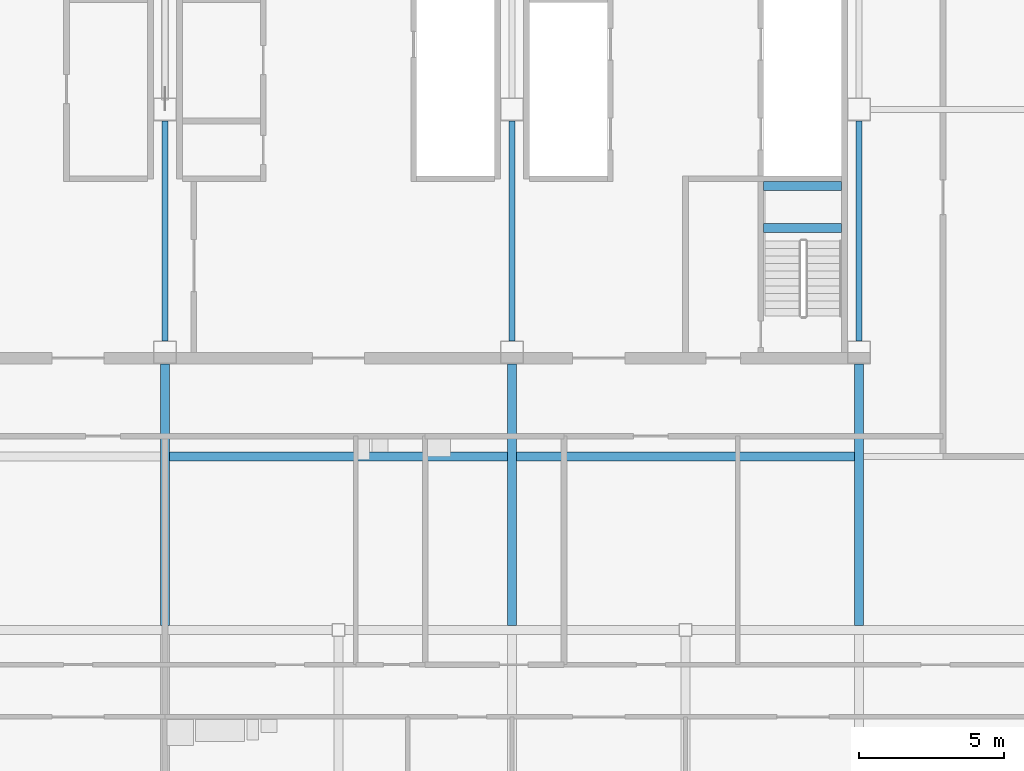
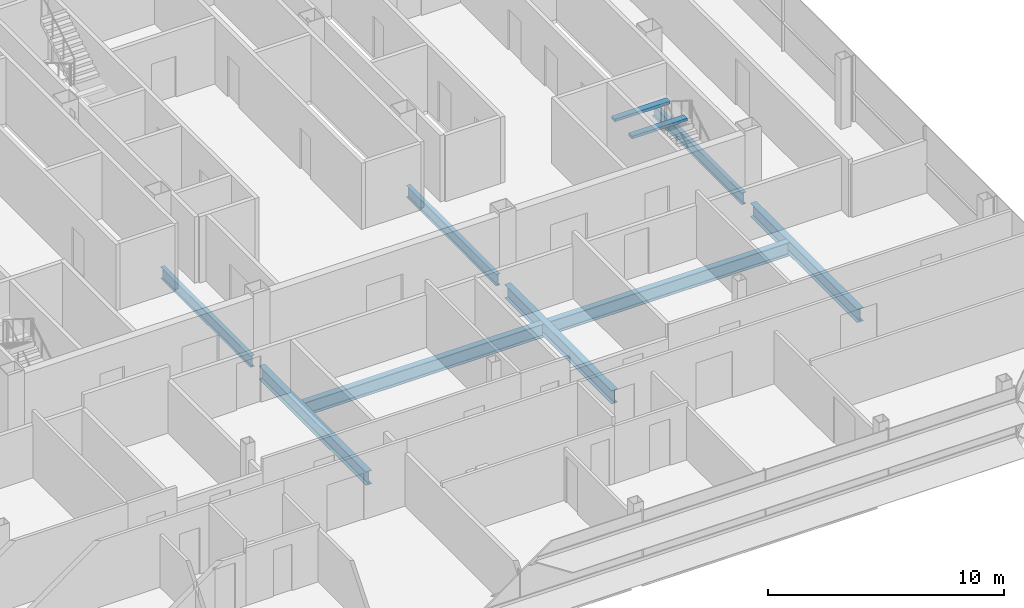
# One storey, part 12 of 27: 10 beams.
"""IFC4 building model written with IfcOpenShell, lengths in metres."""

from ifc_helpers import new_model, si_unit, direction, frame, origin, origin_2d, place, context, subcontext, project, spatial, rectangle, i_section, extrude, material, material_profile, profile_set, type_object, element, save


model = new_model("IFC4")

# Units and contexts
model_context = context("Model", 3, precision=1e-05, world=origin(), true_north=direction((0.0, 1.0)))
body_context = subcontext(model_context, "Body", "Model", "MODEL_VIEW")
ifc_project = project(units=[si_unit("LENGTHUNIT", "METRE"), si_unit("AREAUNIT", "SQUARE_METRE"), si_unit("VOLUMEUNIT", "CUBIC_METRE"), si_unit("PLANEANGLEUNIT", "RADIAN"), si_unit("MASSUNIT", "GRAM", prefix="KILO")], contexts=[model_context])

# Site, building, storey
site_placement = place(None, origin())
site = spatial("IfcSite", under=ifc_project, at=site_placement, CompositionType="ELEMENT")
building_placement = place(site_placement, origin())
building = spatial("IfcBuilding", under=site, at=building_placement, Name="Sorahane Residences", CompositionType="ELEMENT")
storey_placement = place(building_placement, frame((0.0, 0.0, 323.199951171875)))
storey = spatial("IfcBuildingStorey", under=building, at=storey_placement, Name="L77", CompositionType="ELEMENT", Elevation=323.199951171875)

# Beams
ifc_material_1 = material(Name="Concrete C40", Category="concrete")
ifc_material_profile_1 = material_profile(ifc_material_1, rectangle(XDim=0.300048828125, YDim=0.139892578125, at=origin_2d()), Name="300x140")
ifc_profile_set_1 = profile_set([ifc_material_profile_1], Name="Concrete C40")
beam_type_1 = type_object("IfcBeamType", Name="RC landing beam 300 x 140 Concrete C40", PredefinedType="BEAM", material=ifc_profile_set_1)
for number, where, z_axis, x_axis, name in (
    (1, (38.699951171875, 25.89990234375, 1.530029296875), (1.0, 0.0, 0.0), (0.0, 1.0, 0.0), "Landing beam"),
    (2, (38.699951171875, 27.35009765625, 1.530029296875), (1.0, 0.0, 0.0), (0.0, 1.0, 0.0), "Landing beam"),
):
    element("IfcBeam", number, at=place(storey_placement, frame(where, z_axis=z_axis, x_axis=x_axis)), inside=storey, type_object=beam_type_1, Name=name, PredefinedType="BEAM", context=body_context, shape_type="SweptSolid", body=[
        extrude(rectangle(XDim=0.300048828125, YDim=0.139892578125, at=origin_2d()), origin(), (0.0, 0.0, 1.0), 2.699951171875),
    ])
ifc_material_2 = material(Name="Steel Q355B", Category="steel")
ifc_material_profile_2 = material_profile(ifc_material_2, i_section(OverallWidth=0.199951171875, OverallDepth=0.60009765625, WebThickness=0.010986328125, FlangeThickness=0.01708984375, FilletRadius=0.02392578125, at=origin_2d()), Name="HN 600x200x11x17")
ifc_profile_set_2 = profile_set([ifc_material_profile_2], Name="Steel Q355B")
beam_type_2 = type_object("IfcBeamType", Name="Steel floor beam HN 600x200x11x17 Q355B", PredefinedType="BEAM", material=ifc_profile_set_2)
for number, where, z_axis, x_axis, name in (
    (3, (18.0, 22.0, -0.47998046875), (0.0, 1.0, 0.0), (-1.0, 0.0, 0.0), "Beam L77 042"),
    (4, (30.0, 22.0, -0.47998046875), (0.0, 1.0, 0.0), (-1.0, 0.0, 0.0), "Beam L77 050"),
    (5, (42.0, 22.0, -0.47998046875), (0.0, 1.0, 0.0), (-1.0, 0.0, 0.0), "Beam L77 058"),
):
    element("IfcBeam", number, at=place(storey_placement, frame(where, z_axis=z_axis, x_axis=x_axis)), inside=storey, type_object=beam_type_2, Name=name, PredefinedType="BEAM", context=body_context, shape_type="SweptSolid", body=[
        extrude(i_section(OverallWidth=0.199951171875, OverallDepth=0.60009765625, WebThickness=0.010986328125, FlangeThickness=0.01708984375, FilletRadius=0.02392578125, at=origin_2d()), origin(), (0.0, 0.0, 1.0), 7.60009765625),
    ])
ifc_material_3 = material(Name="Steel Q355B", Category="steel")
ifc_material_profile_3 = material_profile(ifc_material_3, i_section(OverallWidth=0.300048828125, OverallDepth=0.699951171875, WebThickness=0.012939453125, FlangeThickness=0.02392578125, FilletRadius=0.028076171875, at=origin_2d()), Name="HN 700x300x13x24")
ifc_profile_set_3 = profile_set([ifc_material_profile_3], Name="Steel Q355B")
beam_type_3 = type_object("IfcBeamType", Name="Steel floor beam HN 700x300x13x24 Q355B", PredefinedType="BEAM", material=ifc_profile_set_3)
for number, where, z_axis, x_axis, name in (
    (6, (18.0, 12.14990234375, -0.530029296875), (0.0, 1.0, 0.0), (-1.0, 0.0, 0.0), "Beam L77 041"),
    (7, (30.0, 12.14990234375, -0.530029296875), (0.0, 1.0, 0.0), (-1.0, 0.0, 0.0), "Beam L77 049"),
    (8, (42.0, 12.14990234375, -0.530029296875), (0.0, 1.0, 0.0), (-1.0, 0.0, 0.0), "Beam L77 057"),
):
    element("IfcBeam", number, at=place(storey_placement, frame(where, z_axis=z_axis, x_axis=x_axis)), inside=storey, type_object=beam_type_3, Name=name, PredefinedType="BEAM", context=body_context, shape_type="SweptSolid", body=[
        extrude(i_section(OverallWidth=0.300048828125, OverallDepth=0.699951171875, WebThickness=0.012939453125, FlangeThickness=0.02392578125, FilletRadius=0.028076171875, at=origin_2d()), origin(), (0.0, 0.0, 1.0), 9.050048828125),
    ])
for number, where, z_axis, x_axis, name in (
    (9, (18.14990234375, 18.0, -0.530029296875), (1.0, 0.0, 0.0), (0.0, 1.0, 0.0), "Beam L77 080"),
    (10, (30.14990234375, 18.0, -0.530029296875), (1.0, 0.0, 0.0), (0.0, 1.0, 0.0), "Beam L77 081"),
):
    element("IfcBeam", number, at=place(storey_placement, frame(where, z_axis=z_axis, x_axis=x_axis)), inside=storey, type_object=beam_type_3, Name=name, PredefinedType="BEAM", context=body_context, shape_type="SweptSolid", body=[
        extrude(i_section(OverallWidth=0.300048828125, OverallDepth=0.699951171875, WebThickness=0.012939453125, FlangeThickness=0.02392578125, FilletRadius=0.028076171875, at=origin_2d()), origin(), (0.0, 0.0, 1.0), 11.7001953125),
    ])

save(model, "model.ifc")
